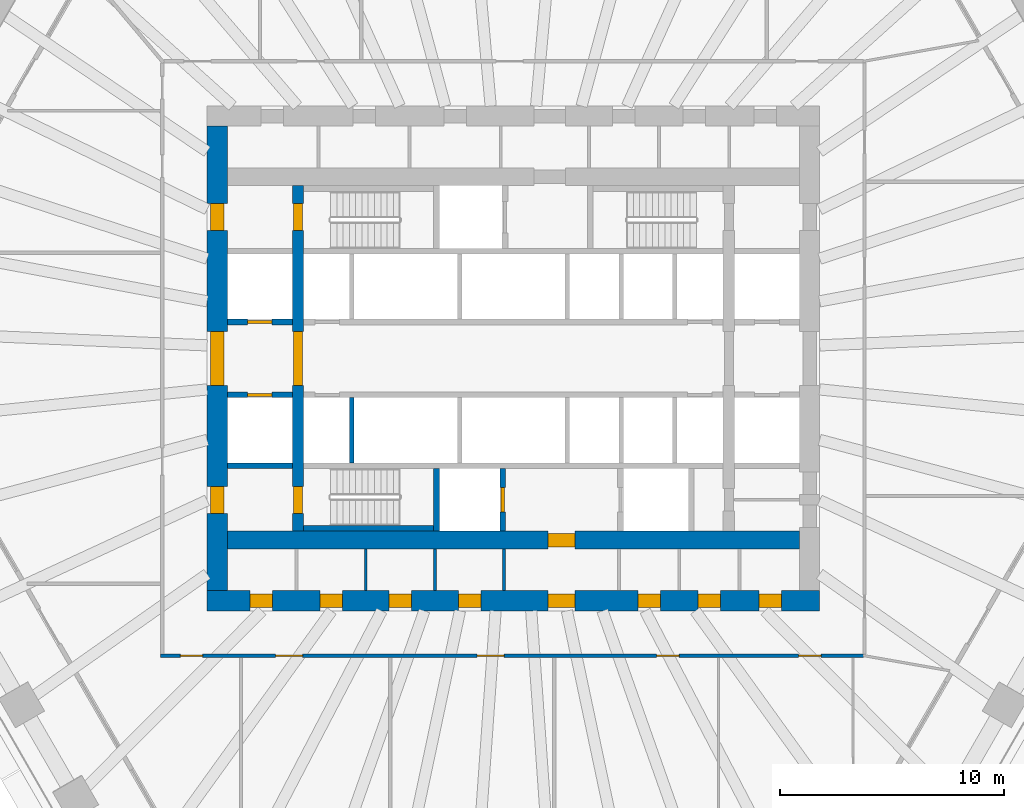
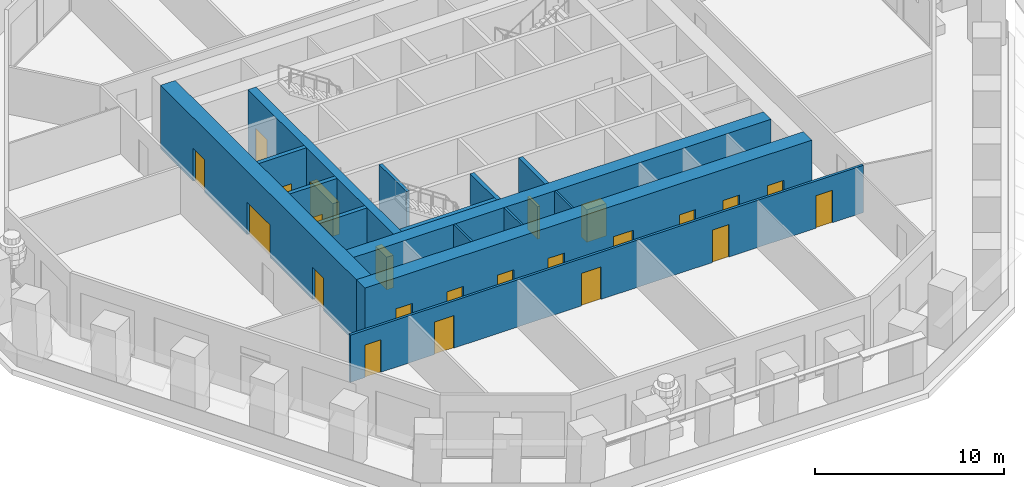
# One storey, part 4 of 12: 23 doors, 15 walls, 23 openings.
"""IFC4 building model written with IfcOpenShell, lengths in metres."""

from ifc_helpers import new_model, si_unit, direction, frame, frame_2d, origin, place, context, subcontext, project, spatial, rectangle, extrude, material, layer, layer_set, type_object, element, fill, save


model = new_model("IFC4")

# Units and contexts
model_context = context("Model", 3, precision=1e-05, world=origin(), true_north=direction((0.0, 1.0)))
body_context = subcontext(model_context, "Body", "Model", "MODEL_VIEW")
ifc_project = project(units=[si_unit("LENGTHUNIT", "METRE"), si_unit("AREAUNIT", "SQUARE_METRE"), si_unit("VOLUMEUNIT", "CUBIC_METRE"), si_unit("PLANEANGLEUNIT", "RADIAN"), si_unit("MASSUNIT", "GRAM", prefix="KILO")], contexts=[model_context])

# Site, building, storey
site_placement = place(None, origin())
site = spatial("IfcSite", under=ifc_project, at=site_placement, CompositionType="ELEMENT")
building_placement = place(site_placement, origin())
building = spatial("IfcBuilding", under=site, at=building_placement, Name="Frailejon Research Tower", CompositionType="ELEMENT")
storey_placement = place(building_placement, frame((0.0, 0.0, 54.199951171875)))
storey = spatial("IfcBuildingStorey", under=building, at=storey_placement, Name="L12", CompositionType="ELEMENT", Elevation=54.199951171875)

# Walls
ifc_material_1 = material(Name="Plasterboard on steel studs", Category="steel")
ifc_layer_1 = layer(ifc_material_1, 0.125)
ifc_layer_set_1 = layer_set([ifc_layer_1], Name="Core partition 125")
wall_type_1 = type_object("IfcWallType", Name="Core partition 125", PredefinedType="PARTITIONING", material=ifc_layer_set_1)
for number, where, z_axis, x_axis, name in (
    (1, (-6.581298828125, -10.35009765625, 0.0), (0.0, 0.0, 1.0), (0.0, 1.0, 0.0), "Core partition"),
    (2, (-3.496826171875, -10.35009765625, 0.0), (0.0, 0.0, 1.0), (0.0, 1.0, 0.0), "Core partition"),
    (3, (-0.41259765625, -10.35009765625, 0.0), (0.0, 0.0, 1.0), (0.0, 1.0, 0.0), "Core partition"),
):
    element("IfcWall", number, at=place(storey_placement, frame(where, z_axis=z_axis, x_axis=x_axis)), inside=storey, type_object=wall_type_1, Name=name, PredefinedType="PARTITIONING", context=body_context, shape_type="SweptSolid", body=[
        extrude(rectangle(XDim=1.85009765625, YDim=0.125, at=frame_2d((0.925048828125, 0.0))), origin(), (0.0, 0.0, 1.0), 4.10009765625),
    ])

# Wall, openings, doors
ifc_material_2 = material(Name="Concrete C70/85", Category="concrete")
ifc_layer_2 = layer(ifc_material_2, 0.5)
ifc_layer_set_2 = layer_set([ifc_layer_2], Name="Core shear wall 500 C70/85")
wall_type_2 = type_object("IfcWallType", Name="Core shear wall 500 C70/85", PredefinedType="SHEAR", material=ifc_layer_set_2)
wall_1_placement = place(storey_placement, frame((-9.60009765625, -7.699951171875, 0.0), z_axis=(0.0, 0.0, 1.0), x_axis=(0.0, 1.0, 0.0)))
wall_1 = element("IfcWall", 4, at=wall_1_placement, inside=storey, type_object=wall_type_2, Name="Core shear wall", PredefinedType="SHEAR", context=body_context, shape_type="SweptSolid", body=[
    extrude(rectangle(XDim=15.39990234375, YDim=0.5, at=frame_2d((7.699951171875, 0.0))), origin(), (0.0, 0.0, 1.0), 4.10009765625),
])
opening_1_placement = place(wall_1_placement, frame((6.5, 0.0, 0.0)))
opening_1 = element("IfcOpeningElement", 5, at=opening_1_placement, cuts=wall_1, Name="Opening D2", PredefinedType="OPENING", context=body_context, shape_type="SweptSolid", body=[
    extrude(rectangle(XDim=2.39990234375, YDim=2.10009765625, at=frame_2d((1.199951171875, 1.050048828125))), frame((0.0, 0.260009765625, 0.0), z_axis=(0.0, -1.0, 0.0), x_axis=(1.0, 0.0, 0.0)), (0.0, 0.0, 1.0), 0.52001953125),
])
opening_2_placement = place(wall_1_placement, frame((13.39990234375, 0.0, 0.0)))
opening_2 = element("IfcOpeningElement", 6, at=opening_2_placement, cuts=wall_1, Name="Opening D1", PredefinedType="OPENING", context=body_context, shape_type="SweptSolid", body=[
    extrude(rectangle(XDim=1.199951171875, YDim=2.10009765625, at=frame_2d((0.60009765625, 1.050048828125))), frame((0.0, 0.260009765625, 0.0), z_axis=(0.0, -1.0, 0.0), x_axis=(1.0, 0.0, 0.0)), (0.0, 0.0, 1.0), 0.52001953125),
])
opening_3_placement = place(wall_1_placement, frame((0.800048828125, 0.0, 0.0)))
opening_3 = element("IfcOpeningElement", 7, at=opening_3_placement, cuts=wall_1, Name="Opening D1", PredefinedType="OPENING", context=body_context, shape_type="SweptSolid", body=[
    extrude(rectangle(XDim=1.199951171875, YDim=2.10009765625, at=frame_2d((0.60009765625, 1.050048828125))), frame((0.0, 0.260009765625, 0.0), z_axis=(0.0, -1.0, 0.0), x_axis=(1.0, 0.0, 0.0)), (0.0, 0.0, 1.0), 0.52001953125),
])
ifc_material_3 = material(Name="Steel", Category="steel")
door_type_1 = type_object("IfcDoorType", Name="Lobby double door", OperationType="DOUBLE_DOOR_SINGLE_SWING", PredefinedType="DOOR", material=ifc_material_3)
door_1_placement = place(opening_1_placement, origin())
door_1 = element("IfcDoor", 8, at=door_1_placement, inside=storey, type_object=door_type_1, Name="Lobby door", OperationType="DOUBLE_DOOR_SINGLE_SWING", OverallHeight=2.10009765625, OverallWidth=2.39990234375, PredefinedType="DOOR", context=body_context, shape_type="SweptSolid", body=[
    extrude(rectangle(XDim=2.39990234375, YDim=2.10009765625, at=frame_2d((1.199951171875, 1.050048828125))), frame((0.0, 0.199951171875, 0.0), z_axis=(0.0, -1.0, 0.0), x_axis=(1.0, 0.0, 0.0)), (0.0, 0.0, 1.0), 0.39990234375),
])
fill(opening_1, door_1)
ifc_material_4 = material(Name="Steel", Category="steel")
door_type_2 = type_object("IfcDoorType", Name="Stair door", OperationType="SINGLE_SWING_LEFT", PredefinedType="DOOR", material=ifc_material_4)
door_2_placement = place(opening_2_placement, origin())
door_2 = element("IfcDoor", 9, at=door_2_placement, inside=storey, type_object=door_type_2, Name="Stair door ST1", OperationType="SINGLE_SWING_LEFT", OverallHeight=2.10009765625, OverallWidth=1.199951171875, PredefinedType="DOOR", context=body_context, shape_type="SweptSolid", body=[
    extrude(rectangle(XDim=1.199951171875, YDim=2.10009765625, at=frame_2d((0.60009765625, 1.050048828125))), frame((0.0, 0.199951171875, 0.0), z_axis=(0.0, -1.0, 0.0), x_axis=(1.0, 0.0, 0.0)), (0.0, 0.0, 1.0), 0.39990234375),
])
fill(opening_2, door_2)
door_3_placement = place(opening_3_placement, origin())
door_3 = element("IfcDoor", 10, at=door_3_placement, inside=storey, type_object=door_type_2, Name="Stair door ST2", OperationType="SINGLE_SWING_LEFT", OverallHeight=2.10009765625, OverallWidth=1.199951171875, PredefinedType="DOOR", context=body_context, shape_type="SweptSolid", body=[
    extrude(rectangle(XDim=1.199951171875, YDim=2.10009765625, at=frame_2d((0.60009765625, 1.050048828125))), frame((0.0, 0.199951171875, 0.0), z_axis=(0.0, -1.0, 0.0), x_axis=(1.0, 0.0, 0.0)), (0.0, 0.0, 1.0), 0.39990234375),
])
fill(opening_3, door_3)

# Wall, opening, door
ifc_material_5 = material(Name="Concrete C70/85", Category="concrete")
ifc_layer_3 = layer(ifc_material_5, 0.800048828125)
ifc_layer_set_3 = layer_set([ifc_layer_3], Name="Core shear wall 800 C70/85")
wall_type_3 = type_object("IfcWallType", Name="Core shear wall 800 C70/85", PredefinedType="SHEAR", material=ifc_layer_set_3)
wall_2_placement = place(storey_placement, frame((-12.75, -8.10009765625, 0.0), z_axis=(0.0, 0.0, 1.0), x_axis=(1.0, 0.0, 0.0)))
wall_2 = element("IfcWall", 11, at=wall_2_placement, inside=storey, type_object=wall_type_3, Name="Core shear wall", PredefinedType="SHEAR", context=body_context, shape_type="SweptSolid", body=[
    extrude(rectangle(XDim=25.5, YDim=0.800048828125, at=frame_2d((12.75, 0.0))), origin(), (0.0, 0.0, 1.0), 4.10009765625),
])
opening_4_placement = place(wall_2_placement, frame((14.300048828125, 0.0, 0.0)))
opening_4 = element("IfcOpeningElement", 12, at=opening_4_placement, cuts=wall_2, Name="Opening D3", PredefinedType="OPENING", context=body_context, shape_type="SweptSolid", body=[
    extrude(rectangle(XDim=1.199951171875, YDim=2.10009765625, at=frame_2d((0.60009765625, 1.050048828125))), frame((0.0, 0.409912109375, 0.0), z_axis=(0.0, -1.0, 0.0), x_axis=(1.0, 0.0, 0.0)), (0.0, 0.0, 1.0), 0.820068359375),
])
ifc_material_6 = material(Name="Steel", Category="steel")
door_type_3 = type_object("IfcDoorType", Name="Firefighting lobby door", OperationType="SINGLE_SWING_LEFT", PredefinedType="DOOR", material=ifc_material_6)
door_4_placement = place(opening_4_placement, origin())
door_4 = element("IfcDoor", 13, at=door_4_placement, inside=storey, type_object=door_type_3, Name="Firefighting lobby door", OperationType="SINGLE_SWING_LEFT", OverallHeight=2.10009765625, OverallWidth=1.199951171875, PredefinedType="DOOR", context=body_context, shape_type="SweptSolid", body=[
    extrude(rectangle(XDim=1.199951171875, YDim=2.10009765625, at=frame_2d((0.60009765625, 1.050048828125))), frame((0.0, 0.300048828125, 0.0), z_axis=(0.0, -1.0, 0.0), x_axis=(1.0, 0.0, 0.0)), (0.0, 0.0, 1.0), 0.60009765625),
])
fill(opening_4, door_4)

# Wall, openings, doors
ifc_material_7 = material(Name="Concrete C70/85", Category="concrete")
ifc_layer_4 = layer(ifc_material_7, 0.89990234375)
ifc_layer_set_4 = layer_set([ifc_layer_4], Name="Core shear wall 900 C70/85")
wall_type_4 = type_object("IfcWallType", Name="Core shear wall 900 C70/85", PredefinedType="SHEAR", material=ifc_layer_set_4)
wall_3_placement = place(storey_placement, frame((-13.64990234375, -10.800048828125, 0.0), z_axis=(0.0, 0.0, 1.0), x_axis=(1.0, 0.0, 0.0)))
wall_3 = element("IfcWall", 14, at=wall_3_placement, inside=storey, type_object=wall_type_4, Name="Core shear wall", PredefinedType="SHEAR", context=body_context, shape_type="SweptSolid", body=[
    extrude(rectangle(XDim=27.2998046875, YDim=0.89990234375, at=frame_2d((13.64990234375, 0.0))), origin(), (0.0, 0.0, 1.0), 4.10009765625),
])
opening_5_placement = place(wall_3_placement, frame((1.910888671875, 0.0, 0.0)))
opening_5 = element("IfcOpeningElement", 15, at=opening_5_placement, cuts=wall_3, Name="Opening D4", PredefinedType="OPENING", context=body_context, shape_type="SweptSolid", body=[
    extrude(rectangle(XDim=1.0, YDim=2.10009765625, at=frame_2d((0.5, 1.050048828125))), frame((0.0, 0.4599609375, 0.0), z_axis=(0.0, -1.0, 0.0), x_axis=(1.0, 0.0, 0.0)), (0.0, 0.0, 1.0), 0.919921875),
])
opening_6_placement = place(wall_3_placement, frame((5.026611328125, 0.0, 0.0)))
opening_6 = element("IfcOpeningElement", 16, at=opening_6_placement, cuts=wall_3, Name="Opening D4", PredefinedType="OPENING", context=body_context, shape_type="SweptSolid", body=[
    extrude(rectangle(XDim=1.0, YDim=2.10009765625, at=frame_2d((0.5, 1.050048828125))), frame((0.0, 0.4599609375, 0.0), z_axis=(0.0, -1.0, 0.0), x_axis=(1.0, 0.0, 0.0)), (0.0, 0.0, 1.0), 0.919921875),
])
opening_7_placement = place(wall_3_placement, frame((8.11083984375, 0.0, 0.0)))
opening_7 = element("IfcOpeningElement", 17, at=opening_7_placement, cuts=wall_3, Name="Opening D4", PredefinedType="OPENING", context=body_context, shape_type="SweptSolid", body=[
    extrude(rectangle(XDim=1.0, YDim=2.10009765625, at=frame_2d((0.5, 1.050048828125))), frame((0.0, 0.4599609375, 0.0), z_axis=(0.0, -1.0, 0.0), x_axis=(1.0, 0.0, 0.0)), (0.0, 0.0, 1.0), 0.919921875),
])
opening_8_placement = place(wall_3_placement, frame((11.1953125, 0.0, 0.0)))
opening_8 = element("IfcOpeningElement", 18, at=opening_8_placement, cuts=wall_3, Name="Opening D4", PredefinedType="OPENING", context=body_context, shape_type="SweptSolid", body=[
    extrude(rectangle(XDim=1.0, YDim=2.10009765625, at=frame_2d((0.5, 1.050048828125))), frame((0.0, 0.4599609375, 0.0), z_axis=(0.0, -1.0, 0.0), x_axis=(1.0, 0.0, 0.0)), (0.0, 0.0, 1.0), 0.919921875),
])
opening_9_placement = place(wall_3_placement, frame((19.2021484375, 0.0, 0.0)))
opening_9 = element("IfcOpeningElement", 19, at=opening_9_placement, cuts=wall_3, Name="Opening D4", PredefinedType="OPENING", context=body_context, shape_type="SweptSolid", body=[
    extrude(rectangle(XDim=1.0, YDim=2.10009765625, at=frame_2d((0.5, 1.050048828125))), frame((0.0, 0.4599609375, 0.0), z_axis=(0.0, -1.0, 0.0), x_axis=(1.0, 0.0, 0.0)), (0.0, 0.0, 1.0), 0.919921875),
])
opening_10_placement = place(wall_3_placement, frame((21.881103515625, 0.0, 0.0)))
opening_10 = element("IfcOpeningElement", 20, at=opening_10_placement, cuts=wall_3, Name="Opening D4", PredefinedType="OPENING", context=body_context, shape_type="SweptSolid", body=[
    extrude(rectangle(XDim=1.0, YDim=2.10009765625, at=frame_2d((0.5, 1.050048828125))), frame((0.0, 0.4599609375, 0.0), z_axis=(0.0, -1.0, 0.0), x_axis=(1.0, 0.0, 0.0)), (0.0, 0.0, 1.0), 0.919921875),
])
opening_11_placement = place(wall_3_placement, frame((24.591796875, 0.0, 0.0)))
opening_11 = element("IfcOpeningElement", 21, at=opening_11_placement, cuts=wall_3, Name="Opening D4", PredefinedType="OPENING", context=body_context, shape_type="SweptSolid", body=[
    extrude(rectangle(XDim=1.0, YDim=2.10009765625, at=frame_2d((0.5, 1.050048828125))), frame((0.0, 0.4599609375, 0.0), z_axis=(0.0, -1.0, 0.0), x_axis=(1.0, 0.0, 0.0)), (0.0, 0.0, 1.0), 0.919921875),
])
opening_12_placement = place(wall_3_placement, frame((15.199951171875, 0.0, 0.0)))
opening_12 = element("IfcOpeningElement", 22, at=opening_12_placement, cuts=wall_3, Name="Opening D3", PredefinedType="OPENING", context=body_context, shape_type="SweptSolid", body=[
    extrude(rectangle(XDim=1.199951171875, YDim=2.10009765625, at=frame_2d((0.60009765625, 1.050048828125))), frame((0.0, 0.4599609375, 0.0), z_axis=(0.0, -1.0, 0.0), x_axis=(1.0, 0.0, 0.0)), (0.0, 0.0, 1.0), 0.919921875),
])
door_5_placement = place(opening_12_placement, origin())
door_5 = element("IfcDoor", 23, at=door_5_placement, inside=storey, type_object=door_type_3, Name="Passage door", OperationType="SINGLE_SWING_RIGHT", OverallHeight=2.10009765625, OverallWidth=1.199951171875, PredefinedType="DOOR", context=body_context, shape_type="SweptSolid", body=[
    extrude(rectangle(XDim=1.199951171875, YDim=2.10009765625, at=frame_2d((0.60009765625, 1.050048828125))), frame((0.0, 0.300048828125, 0.0), z_axis=(0.0, -1.0, 0.0), x_axis=(1.0, 0.0, 0.0)), (0.0, 0.0, 1.0), 0.60009765625),
])
fill(opening_12, door_5)
ifc_material_8 = material(Name="Steel", Category="steel")
door_type_4 = type_object("IfcDoorType", Name="Service door", OperationType="SINGLE_SWING_LEFT", PredefinedType="DOOR", material=ifc_material_8)
door_6_placement = place(opening_5_placement, origin())
door_6 = element("IfcDoor", 24, at=door_6_placement, inside=storey, type_object=door_type_4, Name="Room door", OperationType="SINGLE_SWING_LEFT", OverallHeight=2.10009765625, OverallWidth=1.0, PredefinedType="DOOR", context=body_context, shape_type="SweptSolid", body=[
    extrude(rectangle(XDim=1.0, YDim=2.10009765625, at=frame_2d((0.5, 1.050048828125))), frame((0.0, 0.300048828125, 0.0), z_axis=(0.0, -1.0, 0.0), x_axis=(1.0, 0.0, 0.0)), (0.0, 0.0, 1.0), 0.60009765625),
])
fill(opening_5, door_6)
door_7_placement = place(opening_6_placement, origin())
door_7 = element("IfcDoor", 25, at=door_7_placement, inside=storey, type_object=door_type_4, Name="Room door", OperationType="SINGLE_SWING_RIGHT", OverallHeight=2.10009765625, OverallWidth=1.0, PredefinedType="DOOR", context=body_context, shape_type="SweptSolid", body=[
    extrude(rectangle(XDim=1.0, YDim=2.10009765625, at=frame_2d((0.5, 1.050048828125))), frame((0.0, 0.300048828125, 0.0), z_axis=(0.0, -1.0, 0.0), x_axis=(1.0, 0.0, 0.0)), (0.0, 0.0, 1.0), 0.60009765625),
])
fill(opening_6, door_7)
door_8_placement = place(opening_7_placement, origin())
door_8 = element("IfcDoor", 26, at=door_8_placement, inside=storey, type_object=door_type_4, Name="Room door", OperationType="SINGLE_SWING_LEFT", OverallHeight=2.10009765625, OverallWidth=1.0, PredefinedType="DOOR", context=body_context, shape_type="SweptSolid", body=[
    extrude(rectangle(XDim=1.0, YDim=2.10009765625, at=frame_2d((0.5, 1.050048828125))), frame((0.0, 0.300048828125, 0.0), z_axis=(0.0, -1.0, 0.0), x_axis=(1.0, 0.0, 0.0)), (0.0, 0.0, 1.0), 0.60009765625),
])
fill(opening_7, door_8)
door_9_placement = place(opening_8_placement, origin())
door_9 = element("IfcDoor", 27, at=door_9_placement, inside=storey, type_object=door_type_4, Name="Room door", OperationType="SINGLE_SWING_RIGHT", OverallHeight=2.10009765625, OverallWidth=1.0, PredefinedType="DOOR", context=body_context, shape_type="SweptSolid", body=[
    extrude(rectangle(XDim=1.0, YDim=2.10009765625, at=frame_2d((0.5, 1.050048828125))), frame((0.0, 0.300048828125, 0.0), z_axis=(0.0, -1.0, 0.0), x_axis=(1.0, 0.0, 0.0)), (0.0, 0.0, 1.0), 0.60009765625),
])
fill(opening_8, door_9)
door_10_placement = place(opening_9_placement, origin())
door_10 = element("IfcDoor", 28, at=door_10_placement, inside=storey, type_object=door_type_4, Name="Room door", OperationType="SINGLE_SWING_LEFT", OverallHeight=2.10009765625, OverallWidth=1.0, PredefinedType="DOOR", context=body_context, shape_type="SweptSolid", body=[
    extrude(rectangle(XDim=1.0, YDim=2.10009765625, at=frame_2d((0.5, 1.050048828125))), frame((0.0, 0.300048828125, 0.0), z_axis=(0.0, -1.0, 0.0), x_axis=(1.0, 0.0, 0.0)), (0.0, 0.0, 1.0), 0.60009765625),
])
fill(opening_9, door_10)
door_11_placement = place(opening_10_placement, origin())
door_11 = element("IfcDoor", 29, at=door_11_placement, inside=storey, type_object=door_type_4, Name="Room door", OperationType="SINGLE_SWING_RIGHT", OverallHeight=2.10009765625, OverallWidth=1.0, PredefinedType="DOOR", context=body_context, shape_type="SweptSolid", body=[
    extrude(rectangle(XDim=1.0, YDim=2.10009765625, at=frame_2d((0.5, 1.050048828125))), frame((0.0, 0.300048828125, 0.0), z_axis=(0.0, -1.0, 0.0), x_axis=(1.0, 0.0, 0.0)), (0.0, 0.0, 1.0), 0.60009765625),
])
fill(opening_10, door_11)
door_12_placement = place(opening_11_placement, origin())
door_12 = element("IfcDoor", 30, at=door_12_placement, inside=storey, type_object=door_type_4, Name="Room door", OperationType="SINGLE_SWING_LEFT", OverallHeight=2.10009765625, OverallWidth=1.0, PredefinedType="DOOR", context=body_context, shape_type="SweptSolid", body=[
    extrude(rectangle(XDim=1.0, YDim=2.10009765625, at=frame_2d((0.5, 1.050048828125))), frame((0.0, 0.300048828125, 0.0), z_axis=(0.0, -1.0, 0.0), x_axis=(1.0, 0.0, 0.0)), (0.0, 0.0, 1.0), 0.60009765625),
])
fill(opening_11, door_12)

wall_4_placement = place(storey_placement, frame((-13.199951171875, -10.35009765625, 0.0), z_axis=(0.0, 0.0, 1.0), x_axis=(0.0, 1.0, 0.0)))
wall_4 = element("IfcWall", 31, at=wall_4_placement, inside=storey, type_object=wall_type_4, Name="Core shear wall", PredefinedType="SHEAR", context=body_context, shape_type="SweptSolid", body=[
    extrude(rectangle(XDim=20.7001953125, YDim=0.89990234375, at=frame_2d((10.35009765625, 0.0))), origin(), (0.0, 0.0, 1.0), 4.10009765625),
])
opening_13_placement = place(wall_4_placement, frame((9.14990234375, 0.0, 0.0)))
opening_13 = element("IfcOpeningElement", 32, at=opening_13_placement, cuts=wall_4, Name="Opening D2", PredefinedType="OPENING", context=body_context, shape_type="SweptSolid", body=[
    extrude(rectangle(XDim=2.39990234375, YDim=2.10009765625, at=frame_2d((1.199951171875, 1.050048828125))), frame((0.0, 0.4599609375, 0.0), z_axis=(0.0, -1.0, 0.0), x_axis=(1.0, 0.0, 0.0)), (0.0, 0.0, 1.0), 0.919921875),
])
opening_14_placement = place(wall_4_placement, frame((16.050048828125, 0.0, 0.0)))
opening_14 = element("IfcOpeningElement", 33, at=opening_14_placement, cuts=wall_4, Name="Opening D7", PredefinedType="OPENING", context=body_context, shape_type="SweptSolid", body=[
    extrude(rectangle(XDim=1.199951171875, YDim=2.10009765625, at=frame_2d((0.60009765625, 1.050048828125))), frame((0.0, 0.4599609375, 0.0), z_axis=(0.0, -1.0, 0.0), x_axis=(1.0, 0.0, 0.0)), (0.0, 0.0, 1.0), 0.919921875),
])
opening_15_placement = place(wall_4_placement, frame((3.449951171875, 0.0, 0.0)))
opening_15 = element("IfcOpeningElement", 34, at=opening_15_placement, cuts=wall_4, Name="Opening D7", PredefinedType="OPENING", context=body_context, shape_type="SweptSolid", body=[
    extrude(rectangle(XDim=1.199951171875, YDim=2.10009765625, at=frame_2d((0.60009765625, 1.050048828125))), frame((0.0, 0.4599609375, 0.0), z_axis=(0.0, -1.0, 0.0), x_axis=(1.0, 0.0, 0.0)), (0.0, 0.0, 1.0), 0.919921875),
])
door_13_placement = place(opening_13_placement, origin())
door_13 = element("IfcDoor", 35, at=door_13_placement, inside=storey, type_object=door_type_1, Name="Lobby door", OperationType="DOUBLE_DOOR_SINGLE_SWING", OverallHeight=2.10009765625, OverallWidth=2.39990234375, PredefinedType="DOOR", context=body_context, shape_type="SweptSolid", body=[
    extrude(rectangle(XDim=2.39990234375, YDim=2.10009765625, at=frame_2d((1.199951171875, 1.050048828125))), frame((0.0, 0.300048828125, 0.0), z_axis=(0.0, -1.0, 0.0), x_axis=(1.0, 0.0, 0.0)), (0.0, 0.0, 1.0), 0.60009765625),
])
fill(opening_13, door_13)
ifc_material_9 = material(Name="Steel", Category="steel")
door_type_5 = type_object("IfcDoorType", Name="Stair exit door", OperationType="SINGLE_SWING_LEFT", PredefinedType="DOOR", material=ifc_material_9)
door_14_placement = place(opening_14_placement, origin())
door_14 = element("IfcDoor", 36, at=door_14_placement, inside=storey, type_object=door_type_5, Name="Stair exit door ST1", OperationType="SINGLE_SWING_RIGHT", OverallHeight=2.10009765625, OverallWidth=1.199951171875, PredefinedType="DOOR", context=body_context, shape_type="SweptSolid", body=[
    extrude(rectangle(XDim=1.199951171875, YDim=2.10009765625, at=frame_2d((0.60009765625, 1.050048828125))), frame((0.0, 0.300048828125, 0.0), z_axis=(0.0, -1.0, 0.0), x_axis=(1.0, 0.0, 0.0)), (0.0, 0.0, 1.0), 0.60009765625),
])
fill(opening_14, door_14)
door_15_placement = place(opening_15_placement, origin())
door_15 = element("IfcDoor", 37, at=door_15_placement, inside=storey, type_object=door_type_5, Name="Stair exit door ST2", OperationType="SINGLE_SWING_RIGHT", OverallHeight=2.10009765625, OverallWidth=1.199951171875, PredefinedType="DOOR", context=body_context, shape_type="SweptSolid", body=[
    extrude(rectangle(XDim=1.199951171875, YDim=2.10009765625, at=frame_2d((0.60009765625, 1.050048828125))), frame((0.0, 0.300048828125, 0.0), z_axis=(0.0, -1.0, 0.0), x_axis=(1.0, 0.0, 0.0)), (0.0, 0.0, 1.0), 0.60009765625),
])
fill(opening_15, door_15)

ifc_material_10 = material(Name="Gypsum board and masonry partition", Category="masonry")
ifc_layer_5 = layer(ifc_material_10, 0.14990234375)
ifc_layer_set_5 = layer_set([ifc_layer_5], Name="Corridor wall EI 60, gypsum on steel studs 150")
wall_type_5 = type_object("IfcWallType", Name="Corridor wall EI 60, gypsum on steel studs 150", PredefinedType="PARTITIONING", material=ifc_layer_set_5)
wall_5_placement = place(storey_placement, frame((-15.72509765625, -13.25, 0.0), z_axis=(0.0, 0.0, 1.0), x_axis=(1.0, 0.0, 0.0)))
wall_5 = element("IfcWall", 38, at=wall_5_placement, inside=storey, type_object=wall_type_5, Name="T:IW:L12:004", PredefinedType="PARTITIONING", context=body_context, shape_type="SweptSolid", body=[
    extrude(rectangle(XDim=31.3251953125, YDim=0.14990234375, at=frame_2d((15.66259765625, 0.0))), origin(), (0.0, 0.0, 1.0), 3.050048828125),
])
opening_16_placement = place(wall_5_placement, frame((0.8779296875, 0.0, 0.0)))
opening_16 = element("IfcOpeningElement", 39, at=opening_16_placement, cuts=wall_5, Name="Opening D1428", PredefinedType="OPENING", context=body_context, shape_type="SweptSolid", body=[
    extrude(rectangle(XDim=1.0, YDim=2.10009765625, at=frame_2d((0.5, 1.050048828125))), frame((0.0, 0.0849609375, 0.0), z_axis=(0.0, -1.0, 0.0), x_axis=(1.0, 0.0, 0.0)), (0.0, 0.0, 1.0), 0.169921875),
])
opening_17_placement = place(wall_5_placement, frame((5.1259765625, 0.0, 0.0)))
opening_17 = element("IfcOpeningElement", 40, at=opening_17_placement, cuts=wall_5, Name="Opening D1429", PredefinedType="OPENING", context=body_context, shape_type="SweptSolid", body=[
    extrude(rectangle(XDim=1.199951171875, YDim=2.10009765625, at=frame_2d((0.60009765625, 1.050048828125))), frame((0.0, 0.0849609375, 0.0), z_axis=(0.0, -1.0, 0.0), x_axis=(1.0, 0.0, 0.0)), (0.0, 0.0, 1.0), 0.169921875),
])
opening_18_placement = place(wall_5_placement, frame((14.10888671875, 0.0, 0.0)))
opening_18 = element("IfcOpeningElement", 41, at=opening_18_placement, cuts=wall_5, Name="Opening D1430", PredefinedType="OPENING", context=body_context, shape_type="SweptSolid", body=[
    extrude(rectangle(XDim=1.199951171875, YDim=2.10009765625, at=frame_2d((0.60009765625, 1.050048828125))), frame((0.0, 0.0849609375, 0.0), z_axis=(0.0, -1.0, 0.0), x_axis=(1.0, 0.0, 0.0)), (0.0, 0.0, 1.0), 0.169921875),
])
opening_19_placement = place(wall_5_placement, frame((22.1103515625, 0.0, 0.0)))
opening_19 = element("IfcOpeningElement", 42, at=opening_19_placement, cuts=wall_5, Name="Opening D1431", PredefinedType="OPENING", context=body_context, shape_type="SweptSolid", body=[
    extrude(rectangle(XDim=1.0, YDim=2.10009765625, at=frame_2d((0.5, 1.050048828125))), frame((0.0, 0.0849609375, 0.0), z_axis=(0.0, -1.0, 0.0), x_axis=(1.0, 0.0, 0.0)), (0.0, 0.0, 1.0), 0.169921875),
])
opening_20_placement = place(wall_5_placement, frame((28.43798828125, 0.0, 0.0)))
opening_20 = element("IfcOpeningElement", 43, at=opening_20_placement, cuts=wall_5, Name="Opening D1432", PredefinedType="OPENING", context=body_context, shape_type="SweptSolid", body=[
    extrude(rectangle(XDim=1.0, YDim=2.10009765625, at=frame_2d((0.5, 1.050048828125))), frame((0.0, 0.0849609375, 0.0), z_axis=(0.0, -1.0, 0.0), x_axis=(1.0, 0.0, 0.0)), (0.0, 0.0, 1.0), 0.169921875),
])
ifc_material_11 = material(Name="Timber door leaf", Category="wood")
door_type_6 = type_object("IfcDoorType", Name="Door laboratory, timber, vision panel 1200", OperationType="NOTDEFINED", PredefinedType="DOOR", material=ifc_material_11)
door_16_placement = place(opening_17_placement, origin())
door_16 = element("IfcDoor", 44, at=door_16_placement, inside=storey, type_object=door_type_6, Name="D1429", OperationType="DOUBLE_DOOR_SINGLE_SWING", OverallHeight=2.10009765625, OverallWidth=1.199951171875, PredefinedType="DOOR", context=body_context, shape_type="SweptSolid", body=[
    extrude(rectangle(XDim=1.199951171875, YDim=2.10009765625, at=frame_2d((0.60009765625, 1.050048828125))), frame((0.0, 0.02490234375, 0.0), z_axis=(0.0, -1.0, 0.0), x_axis=(1.0, 0.0, 0.0)), (0.0, 0.0, 1.0), 0.050048828125),
])
fill(opening_17, door_16)
door_17_placement = place(opening_18_placement, origin())
door_17 = element("IfcDoor", 45, at=door_17_placement, inside=storey, type_object=door_type_6, Name="D1430", OperationType="DOUBLE_DOOR_SINGLE_SWING", OverallHeight=2.10009765625, OverallWidth=1.199951171875, PredefinedType="DOOR", context=body_context, shape_type="SweptSolid", body=[
    extrude(rectangle(XDim=1.199951171875, YDim=2.10009765625, at=frame_2d((0.60009765625, 1.050048828125))), frame((0.0, 0.02490234375, 0.0), z_axis=(0.0, -1.0, 0.0), x_axis=(1.0, 0.0, 0.0)), (0.0, 0.0, 1.0), 0.050048828125),
])
fill(opening_18, door_17)
ifc_material_12 = material(Name="Timber door leaf", Category="wood")
door_type_7 = type_object("IfcDoorType", Name="Door single leaf, timber, steel frame 1000", OperationType="NOTDEFINED", PredefinedType="DOOR", material=ifc_material_12)
door_18_placement = place(opening_16_placement, origin())
door_18 = element("IfcDoor", 46, at=door_18_placement, inside=storey, type_object=door_type_7, Name="D1428", OperationType="SINGLE_SWING_RIGHT", OverallHeight=2.10009765625, OverallWidth=1.0, PredefinedType="DOOR", context=body_context, shape_type="SweptSolid", body=[
    extrude(rectangle(XDim=1.0, YDim=2.10009765625, at=frame_2d((0.5, 1.050048828125))), frame((0.0, 0.02490234375, 0.0), z_axis=(0.0, -1.0, 0.0), x_axis=(1.0, 0.0, 0.0)), (0.0, 0.0, 1.0), 0.050048828125),
])
fill(opening_16, door_18)
door_19_placement = place(opening_19_placement, origin())
door_19 = element("IfcDoor", 47, at=door_19_placement, inside=storey, type_object=door_type_7, Name="D1431", OperationType="SINGLE_SWING_LEFT", OverallHeight=2.10009765625, OverallWidth=1.0, PredefinedType="DOOR", context=body_context, shape_type="SweptSolid", body=[
    extrude(rectangle(XDim=1.0, YDim=2.10009765625, at=frame_2d((0.5, 1.050048828125))), frame((0.0, 0.02490234375, 0.0), z_axis=(0.0, -1.0, 0.0), x_axis=(1.0, 0.0, 0.0)), (0.0, 0.0, 1.0), 0.050048828125),
])
fill(opening_19, door_19)
door_20_placement = place(opening_20_placement, origin())
door_20 = element("IfcDoor", 48, at=door_20_placement, inside=storey, type_object=door_type_7, Name="D1432", OperationType="SINGLE_SWING_RIGHT", OverallHeight=2.10009765625, OverallWidth=1.0, PredefinedType="DOOR", context=body_context, shape_type="SweptSolid", body=[
    extrude(rectangle(XDim=1.0, YDim=2.10009765625, at=frame_2d((0.5, 1.050048828125))), frame((0.0, 0.02490234375, 0.0), z_axis=(0.0, -1.0, 0.0), x_axis=(1.0, 0.0, 0.0)), (0.0, 0.0, 1.0), 0.050048828125),
])
fill(opening_20, door_20)

# Wall
ifc_material_13 = material(Name="Concrete C70/85", Category="concrete")
ifc_layer_6 = layer(ifc_material_13, 0.199951171875)
ifc_layer_set_6 = layer_set([ifc_layer_6], Name="Shaft wall 200 C70/85")
wall_type_6 = type_object("IfcWallType", Name="Shaft wall 200 C70/85", PredefinedType="SOLIDWALL", material=ifc_layer_set_6)
wall_6_placement = place(storey_placement, frame((-7.199951171875, -4.64990234375, 0.0), z_axis=(0.0, 0.0, 1.0), x_axis=(0.0, 1.0, 0.0)))
element("IfcWall", 49, at=wall_6_placement, inside=storey, type_object=wall_type_6, Name="Shaft wall", PredefinedType="SOLIDWALL", context=body_context, shape_type="SweptSolid", body=[
    extrude(rectangle(XDim=2.89990234375, YDim=0.199951171875, at=frame_2d((1.449951171875, 0.0))), origin(), (0.0, 0.0, 1.0), 4.10009765625),
])

# Wall, opening, door
ifc_material_14 = material(Name="Concrete C70/85", Category="concrete")
ifc_layer_7 = layer(ifc_material_14, 0.25)
ifc_layer_set_7 = layer_set([ifc_layer_7], Name="Shaft wall 250 C70/85")
wall_type_7 = type_object("IfcWallType", Name="Shaft wall 250 C70/85", PredefinedType="SOLIDWALL", material=ifc_layer_set_7)
wall_7_placement = place(storey_placement, frame((-12.75, 1.625, 0.0), z_axis=(0.0, 0.0, 1.0), x_axis=(1.0, 0.0, 0.0)))
wall_7 = element("IfcWall", 50, at=wall_7_placement, inside=storey, type_object=wall_type_7, Name="Shaft wall", PredefinedType="SOLIDWALL", context=body_context, shape_type="SweptSolid", body=[
    extrude(rectangle(XDim=2.89990234375, YDim=0.25, at=frame_2d((1.449951171875, 0.0))), origin(), (0.0, 0.0, 1.0), 4.10009765625),
])
opening_21_placement = place(wall_7_placement, frame((0.89990234375, 0.0, 0.0)))
opening_21 = element("IfcOpeningElement", 51, at=opening_21_placement, cuts=wall_7, Name="Opening LD", PredefinedType="OPENING", context=body_context, shape_type="SweptSolid", body=[
    extrude(rectangle(XDim=1.10009765625, YDim=2.10009765625, at=frame_2d((0.550048828125, 1.050048828125))), frame((0.0, 0.135009765625, 0.0), z_axis=(0.0, -1.0, 0.0), x_axis=(1.0, 0.0, 0.0)), (0.0, 0.0, 1.0), 0.27001953125),
])
ifc_material_15 = material(Name="Steel", Category="steel")
door_type_8 = type_object("IfcDoorType", Name="Lift landing door", OperationType="DOUBLE_DOOR_SLIDING", PredefinedType="DOOR", material=ifc_material_15)
door_21_placement = place(opening_21_placement, origin())
door_21 = element("IfcDoor", 52, at=door_21_placement, inside=storey, type_object=door_type_8, Name="Lift landing door", OperationType="DOUBLE_DOOR_SLIDING", OverallHeight=2.10009765625, OverallWidth=1.10009765625, PredefinedType="DOOR", context=body_context, shape_type="SweptSolid", body=[
    extrude(rectangle(XDim=1.10009765625, YDim=2.10009765625, at=frame_2d((0.550048828125, 1.050048828125))), frame((0.0, 0.074951171875, 0.0), z_axis=(0.0, -1.0, 0.0), x_axis=(1.0, 0.0, 0.0)), (0.0, 0.0, 1.0), 0.14990234375),
])
fill(opening_21, door_21)

wall_8_placement = place(storey_placement, frame((-12.75, -1.625, 0.0), z_axis=(0.0, 0.0, 1.0), x_axis=(1.0, 0.0, 0.0)))
wall_8 = element("IfcWall", 53, at=wall_8_placement, inside=storey, type_object=wall_type_7, Name="Shaft wall", PredefinedType="SOLIDWALL", context=body_context, shape_type="SweptSolid", body=[
    extrude(rectangle(XDim=2.89990234375, YDim=0.25, at=frame_2d((1.449951171875, 0.0))), origin(), (0.0, 0.0, 1.0), 4.10009765625),
])
opening_22_placement = place(wall_8_placement, frame((0.89990234375, 0.0, 0.0)))
opening_22 = element("IfcOpeningElement", 54, at=opening_22_placement, cuts=wall_8, Name="Opening LD", PredefinedType="OPENING", context=body_context, shape_type="SweptSolid", body=[
    extrude(rectangle(XDim=1.10009765625, YDim=2.10009765625, at=frame_2d((0.550048828125, 1.050048828125))), frame((0.0, 0.135009765625, 0.0), z_axis=(0.0, -1.0, 0.0), x_axis=(1.0, 0.0, 0.0)), (0.0, 0.0, 1.0), 0.27001953125),
])
door_22_placement = place(opening_22_placement, origin())
door_22 = element("IfcDoor", 55, at=door_22_placement, inside=storey, type_object=door_type_8, Name="Lift landing door", OperationType="DOUBLE_DOOR_SLIDING", OverallHeight=2.10009765625, OverallWidth=1.10009765625, PredefinedType="DOOR", context=body_context, shape_type="SweptSolid", body=[
    extrude(rectangle(XDim=1.10009765625, YDim=2.10009765625, at=frame_2d((0.550048828125, 1.050048828125))), frame((0.0, 0.074951171875, 0.0), z_axis=(0.0, -1.0, 0.0), x_axis=(1.0, 0.0, 0.0)), (0.0, 0.0, 1.0), 0.14990234375),
])
fill(opening_22, door_22)

# Walls
wall_9_placement = place(storey_placement, frame((-12.75, -4.77490234375, 0.0), z_axis=(0.0, 0.0, 1.0), x_axis=(1.0, 0.0, 0.0)))
element("IfcWall", 56, at=wall_9_placement, inside=storey, type_object=wall_type_7, Name="Shaft wall", PredefinedType="SOLIDWALL", context=body_context, shape_type="SweptSolid", body=[
    extrude(rectangle(XDim=2.89990234375, YDim=0.25, at=frame_2d((1.449951171875, 0.0))), origin(), (0.0, 0.0, 1.0), 4.10009765625),
])
wall_10_placement = place(storey_placement, frame((-9.35009765625, -7.574951171875, 0.0), z_axis=(0.0, 0.0, 1.0), x_axis=(1.0, 0.0, 0.0)))
element("IfcWall", 57, at=wall_10_placement, inside=storey, type_object=wall_type_7, Name="Shaft wall", PredefinedType="SOLIDWALL", context=body_context, shape_type="SweptSolid", body=[
    extrude(rectangle(XDim=5.800048828125, YDim=0.25, at=frame_2d((2.89990234375, 0.0))), origin(), (0.0, 0.0, 1.0), 4.10009765625),
])
wall_11_placement = place(storey_placement, frame((-3.425048828125, -7.699951171875, 0.0), z_axis=(0.0, 0.0, 1.0), x_axis=(0.0, 1.0, 0.0)))
element("IfcWall", 58, at=wall_11_placement, inside=storey, type_object=wall_type_7, Name="Shaft wall", PredefinedType="SOLIDWALL", context=body_context, shape_type="SweptSolid", body=[
    extrude(rectangle(XDim=2.800048828125, YDim=0.25, at=frame_2d((1.39990234375, 0.0))), origin(), (0.0, 0.0, 1.0), 4.10009765625),
])

# Wall, opening, door
wall_12_placement = place(storey_placement, frame((-0.47509765625, -7.699951171875, 0.0), z_axis=(0.0, 0.0, 1.0), x_axis=(0.0, 1.0, 0.0)))
wall_12 = element("IfcWall", 59, at=wall_12_placement, inside=storey, type_object=wall_type_7, Name="Shaft wall", PredefinedType="SOLIDWALL", context=body_context, shape_type="SweptSolid", body=[
    extrude(rectangle(XDim=2.800048828125, YDim=0.25, at=frame_2d((1.39990234375, 0.0))), origin(), (0.0, 0.0, 1.0), 4.10009765625),
])
opening_23_placement = place(wall_12_placement, frame((0.85009765625, 0.0, 0.0)))
opening_23 = element("IfcOpeningElement", 60, at=opening_23_placement, cuts=wall_12, Name="Opening LD", PredefinedType="OPENING", context=body_context, shape_type="SweptSolid", body=[
    extrude(rectangle(XDim=1.10009765625, YDim=2.10009765625, at=frame_2d((0.550048828125, 1.050048828125))), frame((0.0, 0.135009765625, 0.0), z_axis=(0.0, -1.0, 0.0), x_axis=(1.0, 0.0, 0.0)), (0.0, 0.0, 1.0), 0.27001953125),
])
door_23_placement = place(opening_23_placement, origin())
door_23 = element("IfcDoor", 61, at=door_23_placement, inside=storey, type_object=door_type_8, Name="Lift landing door", OperationType="DOUBLE_DOOR_SLIDING", OverallHeight=2.10009765625, OverallWidth=1.10009765625, PredefinedType="DOOR", context=body_context, shape_type="SweptSolid", body=[
    extrude(rectangle(XDim=1.10009765625, YDim=2.10009765625, at=frame_2d((0.550048828125, 1.050048828125))), frame((0.0, 0.074951171875, 0.0), z_axis=(0.0, -1.0, 0.0), x_axis=(1.0, 0.0, 0.0)), (0.0, 0.0, 1.0), 0.14990234375),
])
fill(opening_23, door_23)

save(model, "model.ifc")
